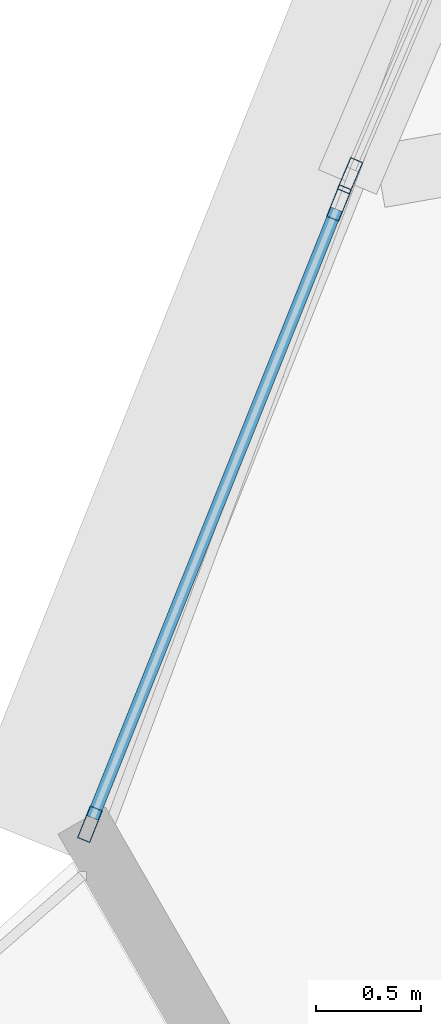
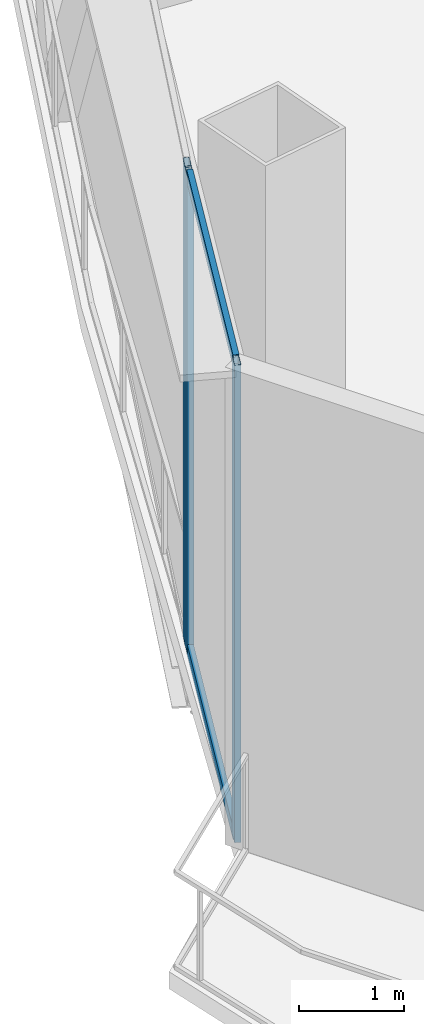
# One storey, part 4 of 36: 5 members, 2 elements without a shape of their own.
"""IFC4 building model written with IfcOpenShell, lengths in metres."""

from ifc_helpers import new_model, si_unit, direction, frame, origin, origin_2d, place, context, subcontext, project, spatial, hollow_rectangle, extrude, source, transform, mapped, material, layer, layer_set, material_profile, profile_set, type_object, element, aggregate, save


model = new_model("IFC4")

# Units and contexts
model_context = context("Model", 3, precision=1e-05, world=origin(), true_north=direction((0.0, 1.0)))
body_context = subcontext(model_context, "Body", "Model", "MODEL_VIEW")
ifc_project = project(units=[si_unit("LENGTHUNIT", "METRE"), si_unit("AREAUNIT", "SQUARE_METRE"), si_unit("VOLUMEUNIT", "CUBIC_METRE"), si_unit("PLANEANGLEUNIT", "RADIAN"), si_unit("MASSUNIT", "GRAM", prefix="KILO"), si_unit("THERMODYNAMICTEMPERATUREUNIT", "KELVIN"), si_unit("POWERUNIT", "WATT")], contexts=[model_context])

# Site, building, storey
site_placement = place(None, origin())
site = spatial("IfcSite", under=ifc_project, at=site_placement, CompositionType="ELEMENT")
building_placement = place(site_placement, origin())
building = spatial("IfcBuilding", under=site, at=building_placement, Name="Yunzhuo Pagoda Commons", CompositionType="ELEMENT")
storey_placement = place(building_placement, frame((0.0, 0.0, 119.179931640625)))
storey = spatial("IfcBuildingStorey", under=building, at=storey_placement, Name="L30", CompositionType="ELEMENT", Elevation=119.179931640625)

# Curtain wall, member
ifc_material = material(Name="Anodized aluminium 6063-T6", Category="aluminium")
ifc_layer = layer(ifc_material, 0.1650390625)
ifc_layer_set = layer_set([ifc_layer], Name="Anodized aluminium 6063-T6")
curtain_wall_type = type_object("IfcCurtainWallType", Name="CW-LOW Low-Zone Ribbon Curtain Wall", PredefinedType="NOTDEFINED", material=ifc_layer_set)
curtain_wall_1_placement = place(storey_placement, origin())
curtain_wall_1 = element("IfcCurtainWall", 1, at=curtain_wall_1_placement, inside=storey, type_object=curtain_wall_type, Name="L30 curtain wall CW-L30-F3B4", PredefinedType="NOTDEFINED")
ifc_material_profile_1 = material_profile(ifc_material, hollow_rectangle(XDim=0.06494140625, YDim=0.1650390625, WallThickness=0.00390625, at=origin_2d()), Name="Anodized aluminium 6063-T6")
ifc_profile_set_1 = profile_set([ifc_material_profile_1], Name="Anodized aluminium 6063-T6")
member_type_1 = type_object("IfcMemberType", Name="CW-LOW-M Mullion RHS 165x65x4", PredefinedType="MULLION", material=ifc_profile_set_1)
shared_shape_1 = source(origin(), body_context, "Body", "SweptSolid", [
    extrude(hollow_rectangle(XDim=0.06494140625, YDim=0.1650390625, WallThickness=0.00390625, at=origin_2d()), origin(), (0.0, 0.0, 1.0), 5.570068359375),
])
member_1_placement = place(storey_placement, frame((8.6259765625, 26.784912109375, 0.0), z_axis=(0.0, 0.0, 1.0), x_axis=(0.919788328925, -0.392414869716, 0.0)))
member_1 = element("IfcMember", 2, at=member_1_placement, type_object=member_type_1, Name="CW mullion 2", PredefinedType="MULLION", context=body_context, shape_type="MappedRepresentation", body=[
    mapped(shared_shape_1, transform((0.0, 0.0, 0.0), scale=1.0)),
])
aggregate(curtain_wall_1, [member_1])

# Curtain wall, members
curtain_wall_2_placement = place(storey_placement, origin())
curtain_wall_2 = element("IfcCurtainWall", 3, at=curtain_wall_2_placement, inside=storey, type_object=curtain_wall_type, Name="L30 curtain wall CW-L30-F3B5", PredefinedType="NOTDEFINED")
member_2_placement = place(storey_placement, frame((8.5732421875, 26.6552734375, 0.0), z_axis=(0.0, 0.0, 1.0), x_axis=(0.928190216459, -0.372106062932, 0.0)))
member_2 = element("IfcMember", 4, at=member_2_placement, type_object=member_type_1, Name="CW mullion 1", PredefinedType="MULLION", context=body_context, shape_type="MappedRepresentation", body=[
    mapped(shared_shape_1, transform((0.0, 0.0, 0.0), scale=1.0)),
])
member_3_placement = place(storey_placement, frame((7.386962890625, 23.696044921875, 0.0), z_axis=(0.0, 0.0, 1.0), x_axis=(0.928190216459, -0.372106062932, 0.0)))
member_3 = element("IfcMember", 5, at=member_3_placement, type_object=member_type_1, Name="CW mullion 2", PredefinedType="MULLION", context=body_context, shape_type="MappedRepresentation", body=[
    mapped(shared_shape_1, transform((0.0, 0.0, 0.0), scale=1.0)),
])
ifc_material_profile_2 = material_profile(ifc_material, hollow_rectangle(XDim=0.06005859375, YDim=0.139892578125, WallThickness=0.00341796875, at=origin_2d()), Name="Anodized aluminium 6063-T6")
ifc_profile_set_2 = profile_set([ifc_material_profile_2], Name="Anodized aluminium 6063-T6")
member_type_2 = type_object("IfcMemberType", Name="CW-LOW-T Transom RHS 140x60x3.5", PredefinedType="USERDEFINED", material=ifc_profile_set_2)
shared_shape_2 = source(origin(), body_context, "Body", "SweptSolid", [
    extrude(hollow_rectangle(XDim=0.06005859375, YDim=0.139892578125, WallThickness=0.00341796875, at=origin_2d()), origin(), (0.0, 0.0, 1.0), 3.123291015625),
])
member_4_placement = place(storey_placement, frame((8.56103515625, 26.625244140625, 0.030029296875), z_axis=(-0.372091409196, -0.928196090922, 0.0), x_axis=(0.928196090922, -0.372091409196, 0.0)))
member_4 = element("IfcMember", 6, at=member_4_placement, type_object=member_type_2, Name="CW transom 1.1", ObjectType="TRANSOM", PredefinedType="USERDEFINED", context=body_context, shape_type="MappedRepresentation", body=[
    mapped(shared_shape_2, transform((0.0, 0.0, 0.0), scale=1.0)),
])
member_5_placement = place(storey_placement, frame((8.56103515625, 26.625244140625, 5.5400390625), z_axis=(-0.372091409196, -0.928196090922, 0.0), x_axis=(0.928196090922, -0.372091409196, 0.0)))
member_5 = element("IfcMember", 7, at=member_5_placement, type_object=member_type_2, Name="CW transom 1.2", ObjectType="TRANSOM", PredefinedType="USERDEFINED", context=body_context, shape_type="MappedRepresentation", body=[
    mapped(shared_shape_2, transform((0.0, 0.0, 0.0), scale=1.0)),
])
aggregate(curtain_wall_2, [member_2, member_3, member_4, member_5])

save(model, "model.ifc")
